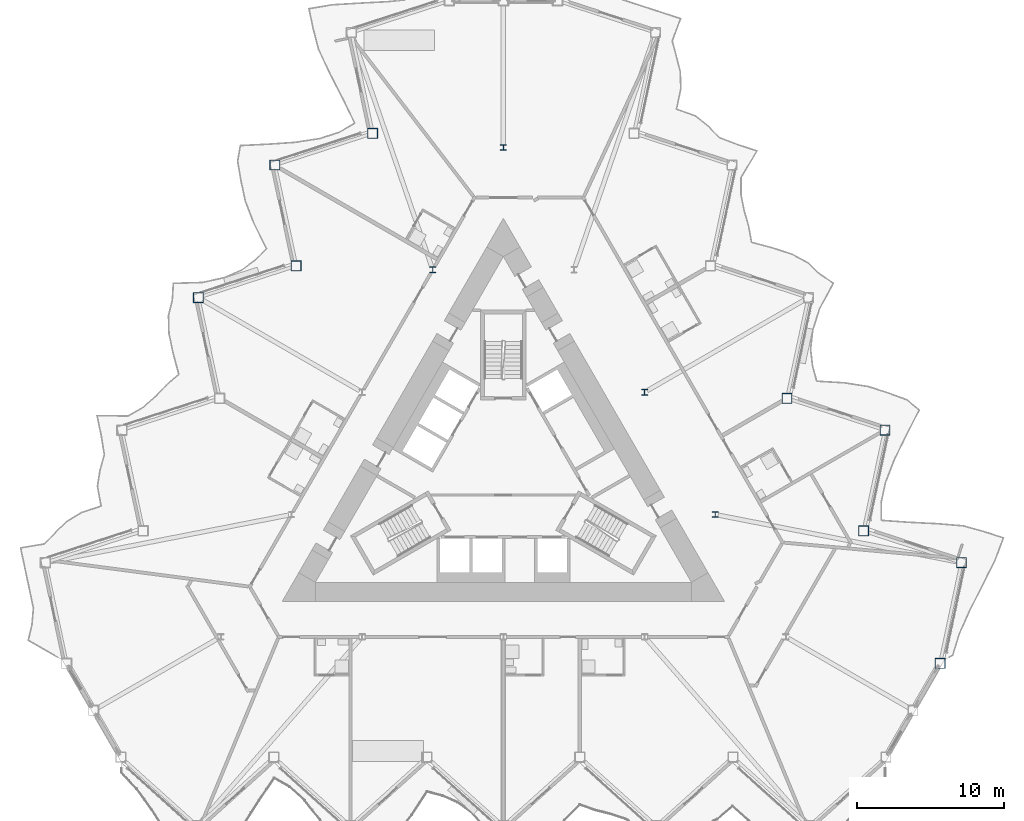
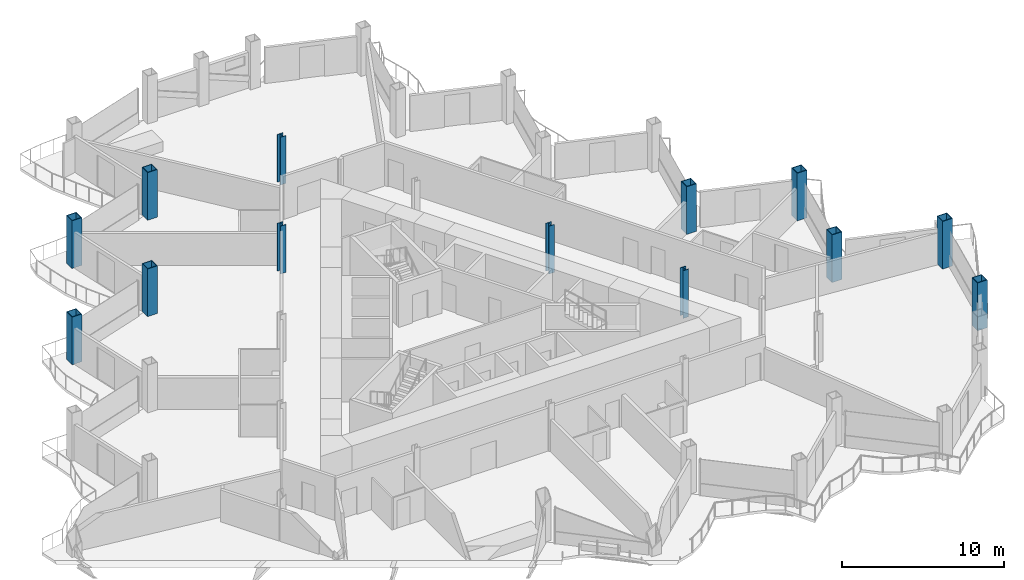
# One storey, part 2 of 23: 13 columns.
"""IFC4 building model written with IfcOpenShell, lengths in metres."""

from ifc_helpers import new_model, si_unit, direction, frame, origin, origin_2d, place, context, subcontext, project, spatial, hollow_rectangle, i_section, extrude, material, material_profile, profile_set, type_object, element, save


model = new_model("IFC4")

# Units and contexts
model_context = context("Model", 3, precision=1e-05, world=origin(), true_north=direction((0.0, 1.0)))
body_context = subcontext(model_context, "Body", "Model", "MODEL_VIEW")
ifc_project = project(units=[si_unit("LENGTHUNIT", "METRE"), si_unit("AREAUNIT", "SQUARE_METRE"), si_unit("VOLUMEUNIT", "CUBIC_METRE"), si_unit("PLANEANGLEUNIT", "RADIAN"), si_unit("MASSUNIT", "GRAM", prefix="KILO")], contexts=[model_context])

# Site, building, storey
site_placement = place(None, origin())
site = spatial("IfcSite", under=ifc_project, at=site_placement, CompositionType="ELEMENT")
building_placement = place(site_placement, origin())
building = spatial("IfcBuilding", under=site, at=building_placement, Name="Cormorant Prow Tower", CompositionType="ELEMENT")
storey_placement = place(building_placement, frame((0.0, 0.0, 252.60009765625)))
storey = spatial("IfcBuildingStorey", under=building, at=storey_placement, Name="L56", CompositionType="ELEMENT", Elevation=252.60009765625)

# Columns
ifc_material_1 = material(Name="Structural steel ASTM A572 Gr 50", Category="steel")
ifc_material_profile_1 = material_profile(ifc_material_1, hollow_rectangle(XDim=0.699951171875, YDim=0.699951171875, WallThickness=0.044921875, at=origin_2d()), Name="Box 700x700x45")
ifc_profile_set_1 = profile_set([ifc_material_profile_1], Name="Structural steel ASTM A572 Gr 50")
column_type_1 = type_object("IfcColumnType", Name="Perimeter box column 700x700x45", PredefinedType="COLUMN", material=ifc_profile_set_1)
for number, where, z_axis, x_axis, name in (
    (1, (29.611572265625, -12.858154296875, 0.0), (0.0, 0.0, 1.0), (1.0, 0.0, 0.0), "Perimeter column C5 at ENE00 L56"),
    (2, (31.063232421875, -6.029052734375, 0.0), (0.0, 0.0, 1.0), (1.0, 0.0, 0.0), "Perimeter column C5 at ENE01 L56"),
    (3, (24.42333984375, -3.871826171875, 0.0), (0.0, 0.0, 1.0), (1.0, 0.0, 0.0), "Perimeter column C5 at ENE02 L56"),
    (4, (25.875, 2.957275390625, 0.0), (0.0, 0.0, 1.0), (1.0, 0.0, 0.0), "Perimeter column C5 at ENE03 L56"),
    (5, (19.235107421875, 5.114501953125, 0.0), (0.0, 0.0, 1.0), (1.0, 0.0, 0.0), "Perimeter column C5 at ENE04 L56"),
    (6, (-8.858642578125, 23.087158203125, 0.0), (0.0, 0.0, 1.0), (1.0, 0.0, 0.0), "Perimeter column C5 at WNW02 L56"),
    (7, (-15.49853515625, 20.9296875, 0.0), (0.0, 0.0, 1.0), (1.0, 0.0, 0.0), "Perimeter column C5 at WNW03 L56"),
    (8, (-14.046875, 14.100830078125, 0.0), (0.0, 0.0, 1.0), (1.0, 0.0, 0.0), "Perimeter column C5 at WNW04 L56"),
    (9, (-20.686767578125, 11.943359375, 0.0), (0.0, 0.0, 1.0), (1.0, 0.0, 0.0), "Perimeter column C5 at WNW05 L56"),
):
    element("IfcColumn", number, at=place(storey_placement, frame(where, z_axis=z_axis, x_axis=x_axis)), inside=storey, type_object=column_type_1, Name=name, PredefinedType="COLUMN", context=body_context, shape_type="SweptSolid", body=[
        extrude(hollow_rectangle(XDim=0.699951171875, YDim=0.699951171875, WallThickness=0.044921875, at=origin_2d()), origin(), (0.0, 0.0, 1.0), 3.599853515625),
    ])
ifc_material_2 = material(Name="Structural steel ASTM A992 Gr 50", Category="steel")
ifc_material_profile_2 = material_profile(ifc_material_2, i_section(OverallWidth=0.39892578125, OverallDepth=0.393310546875, WebThickness=0.022705078125, FlangeThickness=0.03662109375, at=origin_2d()), Name="W14x193")
ifc_profile_set_2 = profile_set([ifc_material_profile_2], Name="Structural steel ASTM A992 Gr 50")
column_type_2 = type_object("IfcColumnType", Name="Ring column W14x193", PredefinedType="COLUMN", material=ifc_profile_set_2)
for number, where, z_axis, x_axis, name in (
    (10, (0.0, 22.12060546875, 0.0), (0.0, 0.0, 1.0), (1.0, 0.0, 0.0), "Ring column 1 L56"),
    (11, (-4.789306640625, 13.8251953125, 0.0), (0.0, 0.0, 1.0), (1.0, 0.0, 0.0), "Ring column 2 L56"),
    (12, (14.36767578125, -2.76513671875, 0.0), (0.0, 0.0, 1.0), (1.0, 0.0, 0.0), "Ring column 10 L56"),
    (13, (9.578369140625, 5.530029296875, 0.0), (0.0, 0.0, 1.0), (1.0, 0.0, 0.0), "Ring column 11 L56"),
):
    element("IfcColumn", number, at=place(storey_placement, frame(where, z_axis=z_axis, x_axis=x_axis)), inside=storey, type_object=column_type_2, Name=name, PredefinedType="COLUMN", context=body_context, shape_type="SweptSolid", body=[
        extrude(i_section(OverallWidth=0.39892578125, OverallDepth=0.393310546875, WebThickness=0.022705078125, FlangeThickness=0.03662109375, at=origin_2d()), origin(), (0.0, 0.0, 1.0), 3.599853515625),
    ])

save(model, "model.ifc")
